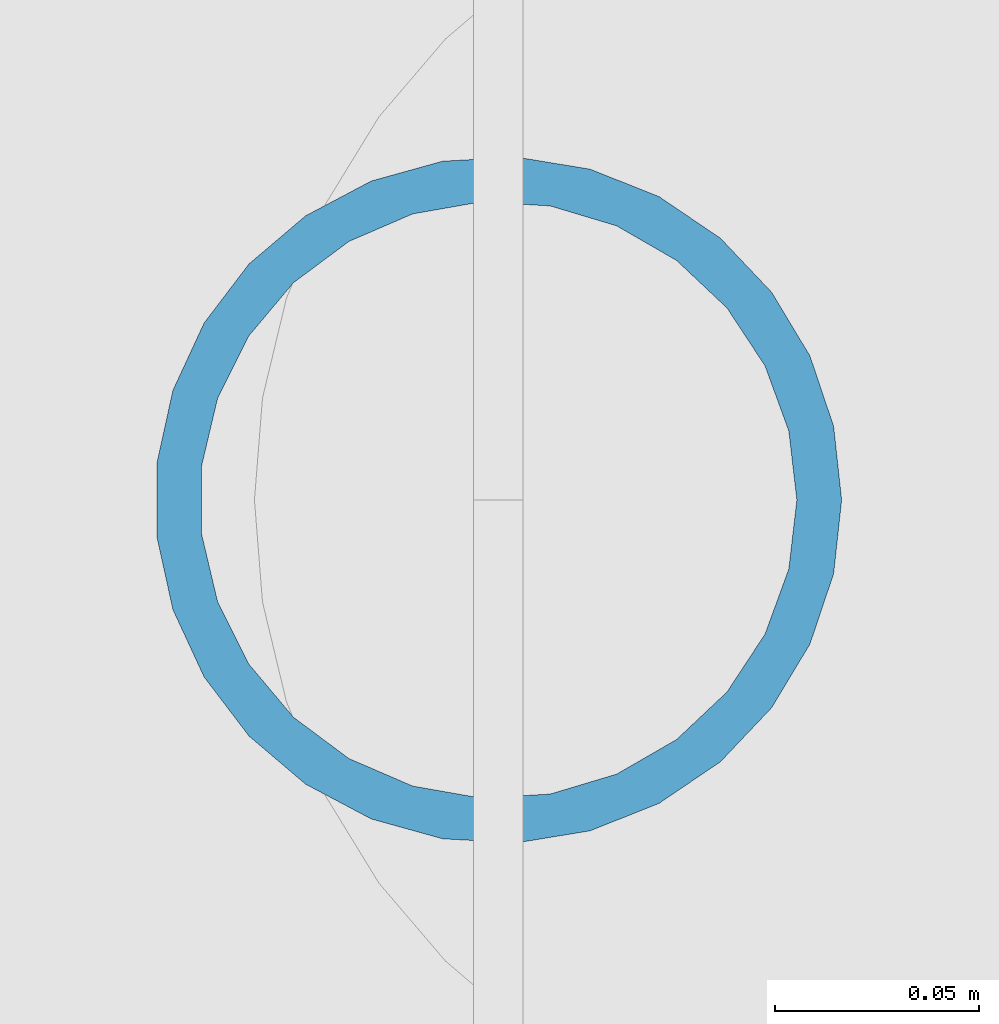
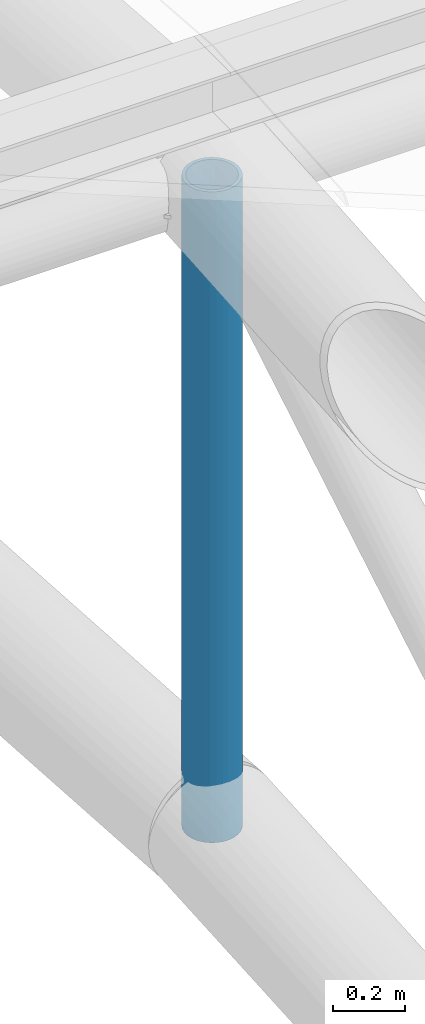
# One storey, part 17 of 110: 1 member.
"""IFC4 building model written with IfcOpenShell, lengths in metres."""

from ifc_helpers import new_model, si_unit, direction, frame, origin, origin_2d, place, context, subcontext, project, spatial, hollow_circle, extrude, material, material_profile, profile_set, type_object, element, save


model = new_model("IFC4")

# Units and contexts
model_context = context("Model", 3, precision=1e-05, world=origin(), true_north=direction((0.0, 1.0)))
body_context = subcontext(model_context, "Body", "Model", "MODEL_VIEW")
ifc_project = project(units=[si_unit("LENGTHUNIT", "METRE"), si_unit("AREAUNIT", "SQUARE_METRE"), si_unit("VOLUMEUNIT", "CUBIC_METRE"), si_unit("PLANEANGLEUNIT", "RADIAN"), si_unit("MASSUNIT", "GRAM", prefix="KILO")], contexts=[model_context])

# Site, building, storey
site_placement = place(None, origin())
site = spatial("IfcSite", under=ifc_project, at=site_placement, CompositionType="ELEMENT")
building_placement = place(site_placement, origin())
building = spatial("IfcBuilding", under=site, at=building_placement, Name="Windward Yard Aquatics Centre", CompositionType="ELEMENT")
storey_placement = place(building_placement, frame((0.0, 0.0, 22.60009765625)))
storey = spatial("IfcBuildingStorey", under=building, at=storey_placement, Name="L05", CompositionType="ELEMENT", Elevation=22.60009765625)

# Member
ifc_material = material(Name="Steel ASTM A500 Gr C", Category="steel")
ifc_material_profile = material_profile(ifc_material, hollow_circle(Radius=0.084228515625, WallThickness=0.010986328125, at=origin_2d()), Name="HSS168.3X11")
ifc_profile_set = profile_set([ifc_material_profile], Name="Steel ASTM A500 Gr C")
member_type = type_object("IfcMemberType", Name="H arch post HSS168.3X11", PredefinedType="POST", material=ifc_profile_set)
member_placement = place(storey_placement, frame((84.0, 61.0, 6.5966796875), z_axis=(0.0, 0.0, 1.0), x_axis=(1.0, 0.0, 0.0)))
element("IfcMember", 1, at=member_placement, inside=storey, type_object=member_type, Name="H.AT.3.WP06", PredefinedType="POST", context=body_context, shape_type="SweptSolid", body=[
    extrude(hollow_circle(Radius=0.084228515625, WallThickness=0.010986328125, at=origin_2d()), origin(), (0.0, 0.0, 1.0), 2.199951171875),
])

save(model, "model.ifc")
